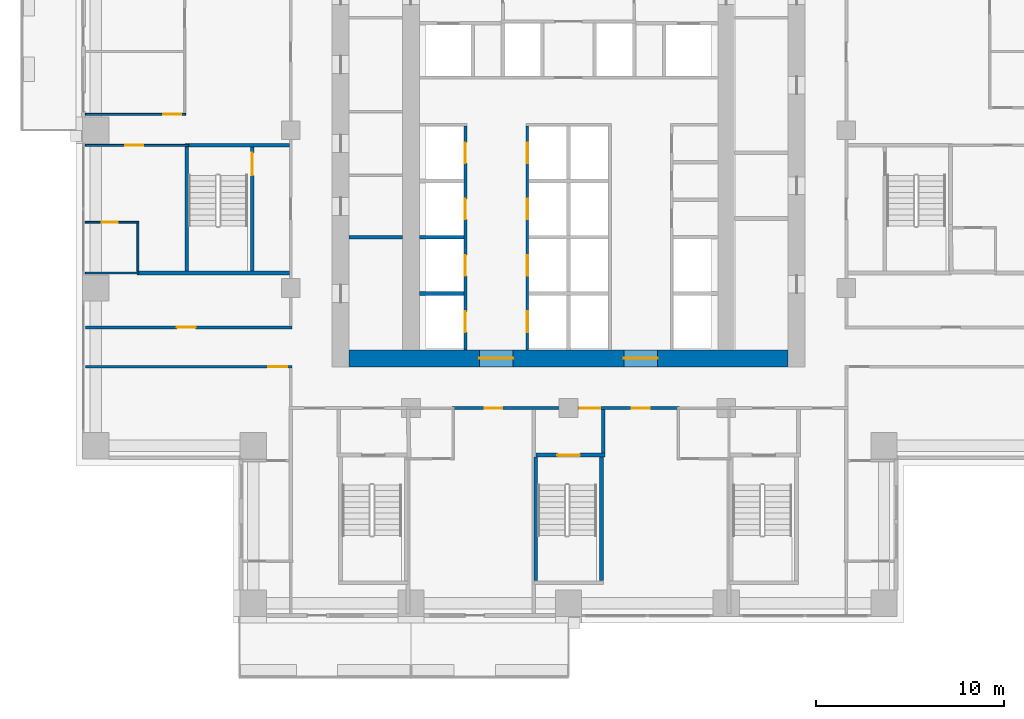
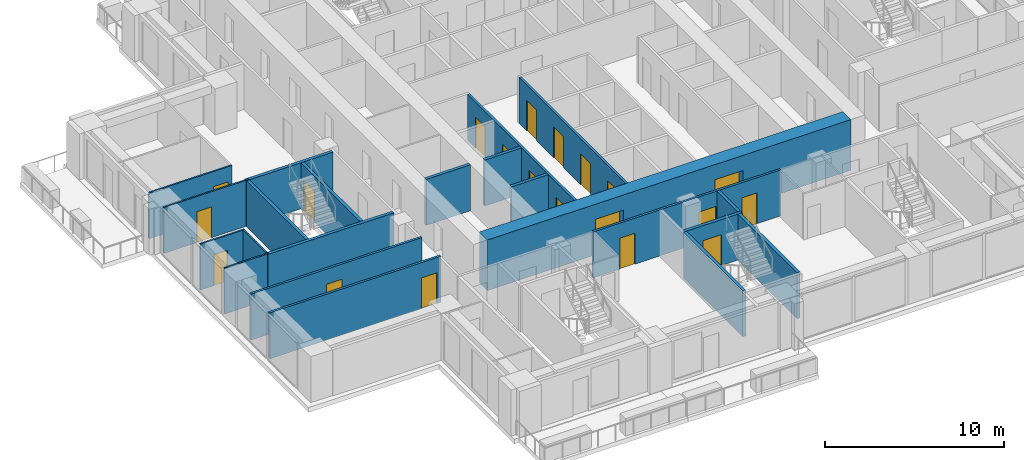
# One storey, part 7 of 16: 22 walls, 20 doors, 20 openings.
"""IFC4 building model written with IfcOpenShell, lengths in metres."""

from ifc_helpers import new_model, si_unit, direction, frame, frame_2d, origin, place, context, subcontext, project, spatial, rectangle, extrude, material, layer, layer_set, type_object, element, fill, save


model = new_model("IFC4")

# Units and contexts
model_context = context("Model", 3, precision=1e-05, world=origin(), true_north=direction((0.0, 1.0)))
body_context = subcontext(model_context, "Body", "Model", "MODEL_VIEW")
ifc_project = project(units=[si_unit("LENGTHUNIT", "METRE"), si_unit("AREAUNIT", "SQUARE_METRE"), si_unit("VOLUMEUNIT", "CUBIC_METRE"), si_unit("PLANEANGLEUNIT", "RADIAN"), si_unit("MASSUNIT", "GRAM", prefix="KILO")], contexts=[model_context])

# Site, building, storey
site_placement = place(None, origin())
site = spatial("IfcSite", under=ifc_project, at=site_placement, CompositionType="ELEMENT")
building_placement = place(site_placement, origin())
building = spatial("IfcBuilding", under=site, at=building_placement, Name="Vermilion Ogive Tower", CompositionType="ELEMENT")
storey_placement = place(building_placement, frame((0.0, 0.0, 41.39990234375)))
storey = spatial("IfcBuildingStorey", under=building, at=storey_placement, Name="L08", CompositionType="ELEMENT", Elevation=41.39990234375)

# Wall, openings, doors
ifc_material_1 = material(Name="Concrete B80", Category="concrete")
ifc_layer_1 = layer(ifc_material_1, 0.89990234375)
ifc_layer_set_1 = layer_set([ifc_layer_1], Name="Core wall 900 B80")
wall_type_1 = type_object("IfcWallType", Name="Core wall 900 B80", PredefinedType="SHEAR", material=ifc_layer_set_1)
wall_1_placement = place(storey_placement, frame((-11.699951171875, -7.949951171875, -0.31982421875), z_axis=(0.0, 0.0, 1.0), x_axis=(1.0, 0.0, 0.0)))
wall_1 = element("IfcWall", 1, at=wall_1_placement, inside=storey, type_object=wall_type_1, Name="L08-CORE-S", PredefinedType="SHEAR", context=body_context, shape_type="SweptSolid", body=[
    extrude(rectangle(XDim=23.39990234375, YDim=0.89990234375, at=frame_2d((11.699951171875, 0.0))), origin(), (0.0, 0.0, 1.0), 3.449951171875),
])
opening_1_placement = place(wall_1_placement, frame((6.949951171875, 0.0, 0.320068359375)))
opening_1 = element("IfcOpeningElement", 2, at=opening_1_placement, cuts=wall_1, Name="Opening DAH003", PredefinedType="OPENING", context=body_context, shape_type="SweptSolid", body=[
    extrude(rectangle(XDim=1.800048828125, YDim=2.10009765625, at=frame_2d((0.89990234375, 1.050048828125))), frame((0.0, 0.4599609375, 0.0), z_axis=(0.0, -1.0, 0.0), x_axis=(1.0, 0.0, 0.0)), (0.0, 0.0, 1.0), 0.919921875),
])
opening_2_placement = place(wall_1_placement, frame((14.64990234375, 0.0, 0.320068359375)))
opening_2 = element("IfcOpeningElement", 3, at=opening_2_placement, cuts=wall_1, Name="Opening DAH004", PredefinedType="OPENING", context=body_context, shape_type="SweptSolid", body=[
    extrude(rectangle(XDim=1.800048828125, YDim=2.10009765625, at=frame_2d((0.89990234375, 1.050048828125))), frame((0.0, 0.4599609375, 0.0), z_axis=(0.0, -1.0, 0.0), x_axis=(1.0, 0.0, 0.0)), (0.0, 0.0, 1.0), 0.919921875),
])
ifc_material_2 = material(Name="Timber door leaf", Category="wood")
door_type_1 = type_object("IfcDoorType", Name="Core entry door 1800 x 2100 FD60S", OperationType="DOUBLE_DOOR_SINGLE_SWING", PredefinedType="DOOR", material=ifc_material_2)
door_1_placement = place(opening_1_placement, origin())
door_1 = element("IfcDoor", 4, at=door_1_placement, inside=storey, type_object=door_type_1, Name="L08-CK-XD1", OperationType="SINGLE_SWING_LEFT", OverallHeight=2.10009765625, OverallWidth=1.800048828125, PredefinedType="DOOR", context=body_context, shape_type="SweptSolid", body=[
    extrude(rectangle(XDim=1.800048828125, YDim=2.10009765625, at=frame_2d((0.89990234375, 1.050048828125))), frame((0.0, 0.02490234375, 0.0), z_axis=(0.0, -1.0, 0.0), x_axis=(1.0, 0.0, 0.0)), (0.0, 0.0, 1.0), 0.050048828125),
])
fill(opening_1, door_1)
door_2_placement = place(opening_2_placement, origin())
door_2 = element("IfcDoor", 5, at=door_2_placement, inside=storey, type_object=door_type_1, Name="L08-CK-XD2", OperationType="SINGLE_SWING_LEFT", OverallHeight=2.10009765625, OverallWidth=1.800048828125, PredefinedType="DOOR", context=body_context, shape_type="SweptSolid", body=[
    extrude(rectangle(XDim=1.800048828125, YDim=2.10009765625, at=frame_2d((0.89990234375, 1.050048828125))), frame((0.0, 0.02490234375, 0.0), z_axis=(0.0, -1.0, 0.0), x_axis=(1.0, 0.0, 0.0)), (0.0, 0.0, 1.0), 0.050048828125),
])
fill(opening_2, door_2)

# Wall
ifc_material_3 = material(Name="Gypsum board partition on steel studs", Category="steel")
ifc_layer_2 = layer(ifc_material_3, 0.10009765625)
ifc_layer_set_2 = layer_set([ifc_layer_2], Name="Partition 100 bath")
wall_type_2 = type_object("IfcWallType", Name="Partition 100 bath", PredefinedType="PARTITIONING", material=ifc_layer_set_2)
wall_2_placement = place(storey_placement, frame((-25.75, -3.39990234375, 0.0), z_axis=(0.0, 0.0, 1.0), x_axis=(1.0, 0.0, 0.0)))
element("IfcWall", 6, at=wall_2_placement, inside=storey, type_object=wall_type_2, Name="L08-W-W022", PredefinedType="PARTITIONING", context=body_context, shape_type="SweptSolid", body=[
    extrude(rectangle(XDim=2.85009765625, YDim=0.10009765625, at=frame_2d((1.425048828125, 0.0))), origin(), (0.0, 0.0, 1.0), 3.130126953125),
])

# Wall, opening, door
wall_3_placement = place(storey_placement, frame((-25.75, -0.699951171875, 0.0), z_axis=(0.0, 0.0, 1.0), x_axis=(1.0, 0.0, 0.0)))
wall_3 = element("IfcWall", 7, at=wall_3_placement, inside=storey, type_object=wall_type_2, Name="L08-W-W028", PredefinedType="PARTITIONING", context=body_context, shape_type="SweptSolid", body=[
    extrude(rectangle(XDim=2.85009765625, YDim=0.10009765625, at=frame_2d((1.425048828125, 0.0))), origin(), (0.0, 0.0, 1.0), 3.130126953125),
])
opening_3_placement = place(wall_3_placement, frame((0.875, 0.0, 0.0)))
opening_3 = element("IfcOpeningElement", 8, at=opening_3_placement, cuts=wall_3, Name="Opening D1G2008", PredefinedType="OPENING", context=body_context, shape_type="SweptSolid", body=[
    extrude(rectangle(XDim=0.85009765625, YDim=2.10009765625, at=frame_2d((0.425048828125, 1.050048828125))), frame((0.0, 0.06005859375, 0.0), z_axis=(0.0, -1.0, 0.0), x_axis=(1.0, 0.0, 0.0)), (0.0, 0.0, 1.0), 0.1201171875),
])
ifc_material_4 = material(Name="Timber door leaf", Category="wood")
door_type_2 = type_object("IfcDoorType", Name="Bath door 850 x 2100 FD30", OperationType="SINGLE_SWING_LEFT", PredefinedType="DOOR", material=ifc_material_4)
door_3_placement = place(opening_3_placement, origin())
door_3 = element("IfcDoor", 9, at=door_3_placement, inside=storey, type_object=door_type_2, Name="L08-D-D008", OperationType="SINGLE_SWING_RIGHT", OverallHeight=2.10009765625, OverallWidth=0.85009765625, PredefinedType="DOOR", context=body_context, shape_type="SweptSolid", body=[
    extrude(rectangle(XDim=0.85009765625, YDim=2.10009765625, at=frame_2d((0.425048828125, 1.050048828125))), frame((0.0, 0.02490234375, 0.0), z_axis=(0.0, -1.0, 0.0), x_axis=(1.0, 0.0, 0.0)), (0.0, 0.0, 1.0), 0.050048828125),
])
fill(opening_3, door_3)

# Wall
wall_4_placement = place(storey_placement, frame((-22.949951171875, -3.300048828125, 0.0), z_axis=(0.0, 0.0, 1.0), x_axis=(0.0, 1.0, 0.0)))
element("IfcWall", 10, at=wall_4_placement, inside=storey, type_object=wall_type_2, Name="L08-W-W041", PredefinedType="PARTITIONING", context=body_context, shape_type="SweptSolid", body=[
    extrude(rectangle(XDim=2.550048828125, YDim=0.10009765625, at=frame_2d((1.27490234375, 0.0))), origin(), (0.0, 0.0, 1.0), 3.130126953125),
])

# Wall, opening, door
ifc_material_5 = material(Name="Gypsum board partition on steel studs", Category="steel")
ifc_layer_3 = layer(ifc_material_5, 0.10009765625)
ifc_layer_set_3 = layer_set([ifc_layer_3], Name="Partition 100 inner")
wall_type_3 = type_object("IfcWallType", Name="Partition 100 inner", PredefinedType="PARTITIONING", material=ifc_layer_set_3)
wall_5_placement = place(storey_placement, frame((-25.75, 3.39990234375, 0.0), z_axis=(0.0, 0.0, 1.0), x_axis=(1.0, 0.0, 0.0)))
wall_5 = element("IfcWall", 11, at=wall_5_placement, inside=storey, type_object=wall_type_3, Name="L08-W-W029", PredefinedType="PARTITIONING", context=body_context, shape_type="SweptSolid", body=[
    extrude(rectangle(XDim=5.5, YDim=0.10009765625, at=frame_2d((2.75, 0.0))), origin(), (0.0, 0.0, 1.0), 3.130126953125),
])
opening_4_placement = place(wall_5_placement, frame((2.125, 0.0, 0.0)))
opening_4 = element("IfcOpeningElement", 12, at=opening_4_placement, cuts=wall_5, Name="Opening D1G2007", PredefinedType="OPENING", context=body_context, shape_type="SweptSolid", body=[
    extrude(rectangle(XDim=0.949951171875, YDim=2.10009765625, at=frame_2d((0.47509765625, 1.050048828125))), frame((0.0, 0.06005859375, 0.0), z_axis=(0.0, -1.0, 0.0), x_axis=(1.0, 0.0, 0.0)), (0.0, 0.0, 1.0), 0.1201171875),
])
ifc_material_6 = material(Name="Timber door leaf", Category="wood")
door_type_3 = type_object("IfcDoorType", Name="Inner door 950 x 2100 FD30", OperationType="SINGLE_SWING_LEFT", PredefinedType="DOOR", material=ifc_material_6)
door_4_placement = place(opening_4_placement, origin())
door_4 = element("IfcDoor", 13, at=door_4_placement, inside=storey, type_object=door_type_3, Name="L08-D-D007", OperationType="SINGLE_SWING_LEFT", OverallHeight=2.10009765625, OverallWidth=0.949951171875, PredefinedType="DOOR", context=body_context, shape_type="SweptSolid", body=[
    extrude(rectangle(XDim=0.949951171875, YDim=2.10009765625, at=frame_2d((0.47509765625, 1.050048828125))), frame((0.0, 0.02490234375, 0.0), z_axis=(0.0, -1.0, 0.0), x_axis=(1.0, 0.0, 0.0)), (0.0, 0.0, 1.0), 0.050048828125),
])
fill(opening_4, door_4)

wall_6_placement = place(storey_placement, frame((-25.75, 5.0498046875, 0.0), z_axis=(0.0, 0.0, 1.0), x_axis=(1.0, 0.0, 0.0)))
wall_6 = element("IfcWall", 14, at=wall_6_placement, inside=storey, type_object=wall_type_3, Name="L08-W-W033", PredefinedType="PARTITIONING", context=body_context, shape_type="SweptSolid", body=[
    extrude(rectangle(XDim=5.35009765625, YDim=0.10009765625, at=frame_2d((2.675048828125, 0.0))), origin(), (0.0, 0.0, 1.0), 3.130126953125),
])
opening_5_placement = place(wall_6_placement, frame((4.14990234375, 0.0, 0.0)))
opening_5 = element("IfcOpeningElement", 15, at=opening_5_placement, cuts=wall_6, Name="Opening D1G2004", PredefinedType="OPENING", context=body_context, shape_type="SweptSolid", body=[
    extrude(rectangle(XDim=0.949951171875, YDim=2.10009765625, at=frame_2d((0.47509765625, 1.050048828125))), frame((0.0, 0.06005859375, 0.0), z_axis=(0.0, -1.0, 0.0), x_axis=(1.0, 0.0, 0.0)), (0.0, 0.0, 1.0), 0.1201171875),
])
door_5_placement = place(opening_5_placement, origin())
door_5 = element("IfcDoor", 16, at=door_5_placement, inside=storey, type_object=door_type_3, Name="L08-D-D004", OperationType="SINGLE_SWING_LEFT", OverallHeight=2.10009765625, OverallWidth=0.949951171875, PredefinedType="DOOR", context=body_context, shape_type="SweptSolid", body=[
    extrude(rectangle(XDim=0.949951171875, YDim=2.10009765625, at=frame_2d((0.47509765625, 1.050048828125))), frame((0.0, 0.02490234375, 0.0), z_axis=(0.0, -1.0, 0.0), x_axis=(1.0, 0.0, 0.0)), (0.0, 0.0, 1.0), 0.050048828125),
])
fill(opening_5, door_5)

# Wall, openings, doors
ifc_material_7 = material(Name="Gypsum board partition on steel studs", Category="steel")
ifc_layer_4 = layer(ifc_material_7, 0.14990234375)
ifc_layer_set_4 = layer_set([ifc_layer_4], Name="Partition 150 corridor")
wall_type_4 = type_object("IfcWallType", Name="Partition 150 corridor", PredefinedType="PARTITIONING", material=ifc_layer_set_4)
wall_7_placement = place(storey_placement, frame((-6.199951171875, -10.60009765625, 0.0), z_axis=(0.0, 0.0, 1.0), x_axis=(1.0, 0.0, 0.0)))
wall_7 = element("IfcWall", 17, at=wall_7_placement, inside=storey, type_object=wall_type_4, Name="L08-W-W015", PredefinedType="PARTITIONING", context=body_context, shape_type="SweptSolid", body=[
    extrude(rectangle(XDim=12.099853515625, YDim=0.14990234375, at=frame_2d((6.0498046875, 0.0))), origin(), (0.0, 0.0, 1.0), 3.130126953125),
])
opening_6_placement = place(wall_7_placement, frame((1.724853515625, 0.0, 0.0)))
opening_6 = element("IfcOpeningElement", 18, at=opening_6_placement, cuts=wall_7, Name="Opening D1G2011", PredefinedType="OPENING", context=body_context, shape_type="SweptSolid", body=[
    extrude(rectangle(XDim=0.949951171875, YDim=2.10009765625, at=frame_2d((0.47509765625, 1.050048828125))), frame((0.0, 0.0849609375, 0.0), z_axis=(0.0, -1.0, 0.0), x_axis=(1.0, 0.0, 0.0)), (0.0, 0.0, 1.0), 0.169921875),
])
opening_7_placement = place(wall_7_placement, frame((9.574951171875, 0.0, 0.0)))
opening_7 = element("IfcOpeningElement", 19, at=opening_7_placement, cuts=wall_7, Name="Opening D1G2013", PredefinedType="OPENING", context=body_context, shape_type="SweptSolid", body=[
    extrude(rectangle(XDim=0.949951171875, YDim=2.10009765625, at=frame_2d((0.47509765625, 1.050048828125))), frame((0.0, 0.0849609375, 0.0), z_axis=(0.0, -1.0, 0.0), x_axis=(1.0, 0.0, 0.0)), (0.0, 0.0, 1.0), 0.169921875),
])
opening_8_placement = place(wall_7_placement, frame((6.800048828125, 0.0, 0.0)))
opening_8 = element("IfcOpeningElement", 20, at=opening_8_placement, cuts=wall_7, Name="Opening D1G2027", PredefinedType="OPENING", context=body_context, shape_type="SweptSolid", body=[
    extrude(rectangle(XDim=1.10009765625, YDim=2.10009765625, at=frame_2d((0.550048828125, 1.050048828125))), frame((0.0, 0.0849609375, 0.0), z_axis=(0.0, -1.0, 0.0), x_axis=(1.0, 0.0, 0.0)), (0.0, 0.0, 1.0), 0.169921875),
])
ifc_material_8 = material(Name="Timber door leaf", Category="wood")
door_type_4 = type_object("IfcDoorType", Name="Stair door 1100 x 2100 FD60S", OperationType="SINGLE_SWING_LEFT", PredefinedType="DOOR", material=ifc_material_8)
door_6_placement = place(opening_8_placement, origin())
door_6 = element("IfcDoor", 21, at=door_6_placement, inside=storey, type_object=door_type_4, Name="L08-D-D027", OperationType="SINGLE_SWING_RIGHT", OverallHeight=2.10009765625, OverallWidth=1.10009765625, PredefinedType="DOOR", context=body_context, shape_type="SweptSolid", body=[
    extrude(rectangle(XDim=1.10009765625, YDim=2.10009765625, at=frame_2d((0.550048828125, 1.050048828125))), frame((0.0, 0.02490234375, 0.0), z_axis=(0.0, -1.0, 0.0), x_axis=(1.0, 0.0, 0.0)), (0.0, 0.0, 1.0), 0.050048828125),
])
fill(opening_8, door_6)
ifc_material_9 = material(Name="Timber door leaf", Category="wood")
door_type_5 = type_object("IfcDoorType", Name="Unit door 950 x 2100 FD30S", OperationType="SINGLE_SWING_LEFT", PredefinedType="DOOR", material=ifc_material_9)
door_7_placement = place(opening_6_placement, origin())
door_7 = element("IfcDoor", 22, at=door_7_placement, inside=storey, type_object=door_type_5, Name="L08-D-D011", OperationType="SINGLE_SWING_LEFT", OverallHeight=2.10009765625, OverallWidth=0.949951171875, PredefinedType="DOOR", context=body_context, shape_type="SweptSolid", body=[
    extrude(rectangle(XDim=0.949951171875, YDim=2.10009765625, at=frame_2d((0.47509765625, 1.050048828125))), frame((0.0, 0.02490234375, 0.0), z_axis=(0.0, -1.0, 0.0), x_axis=(1.0, 0.0, 0.0)), (0.0, 0.0, 1.0), 0.050048828125),
])
fill(opening_6, door_7)
door_8_placement = place(opening_7_placement, origin())
door_8 = element("IfcDoor", 23, at=door_8_placement, inside=storey, type_object=door_type_5, Name="L08-D-D013", OperationType="SINGLE_SWING_RIGHT", OverallHeight=2.10009765625, OverallWidth=0.949951171875, PredefinedType="DOOR", context=body_context, shape_type="SweptSolid", body=[
    extrude(rectangle(XDim=0.949951171875, YDim=2.10009765625, at=frame_2d((0.47509765625, 1.050048828125))), frame((0.0, 0.02490234375, 0.0), z_axis=(0.0, -1.0, 0.0), x_axis=(1.0, 0.0, 0.0)), (0.0, 0.0, 1.0), 0.050048828125),
])
fill(opening_7, door_8)

# Wall, opening, door
wall_8_placement = place(storey_placement, frame((-25.75, -8.39990234375, 0.0), z_axis=(0.0, 0.0, 1.0), x_axis=(1.0, 0.0, 0.0)))
wall_8 = element("IfcWall", 24, at=wall_8_placement, inside=storey, type_object=wall_type_4, Name="L08-W-W018", PredefinedType="PARTITIONING", context=body_context, shape_type="SweptSolid", body=[
    extrude(rectangle(XDim=11.02490234375, YDim=0.14990234375, at=frame_2d((5.512451171875, 0.0))), origin(), (0.0, 0.0, 1.0), 3.130126953125),
])
opening_9_placement = place(wall_8_placement, frame((9.75, 0.0, 0.0)))
opening_9 = element("IfcOpeningElement", 25, at=opening_9_placement, cuts=wall_8, Name="Opening D1G2001", PredefinedType="OPENING", context=body_context, shape_type="SweptSolid", body=[
    extrude(rectangle(XDim=1.0, YDim=2.10009765625, at=frame_2d((0.5, 1.050048828125))), frame((0.0, 0.0849609375, 0.0), z_axis=(0.0, -1.0, 0.0), x_axis=(1.0, 0.0, 0.0)), (0.0, 0.0, 1.0), 0.169921875),
])
ifc_material_10 = material(Name="Timber door leaf", Category="wood")
door_type_6 = type_object("IfcDoorType", Name="Unit door 1000 x 2100 FD30S", OperationType="SINGLE_SWING_LEFT", PredefinedType="DOOR", material=ifc_material_10)
door_9_placement = place(opening_9_placement, origin())
door_9 = element("IfcDoor", 26, at=door_9_placement, inside=storey, type_object=door_type_6, Name="L08-D-D001", OperationType="SINGLE_SWING_RIGHT", OverallHeight=2.10009765625, OverallWidth=1.0, PredefinedType="DOOR", context=body_context, shape_type="SweptSolid", body=[
    extrude(rectangle(XDim=1.0, YDim=2.10009765625, at=frame_2d((0.5, 1.050048828125))), frame((0.0, 0.02490234375, 0.0), z_axis=(0.0, -1.0, 0.0), x_axis=(1.0, 0.0, 0.0)), (0.0, 0.0, 1.0), 0.050048828125),
])
fill(opening_9, door_9)

wall_9_placement = place(storey_placement, frame((-25.75, -6.300048828125, 0.0), z_axis=(0.0, 0.0, 1.0), x_axis=(1.0, 0.0, 0.0)))
wall_9 = element("IfcWall", 27, at=wall_9_placement, inside=storey, type_object=wall_type_4, Name="L08-W-W020", PredefinedType="PARTITIONING", context=body_context, shape_type="SweptSolid", body=[
    extrude(rectangle(XDim=11.02490234375, YDim=0.14990234375, at=frame_2d((5.512451171875, 0.0))), origin(), (0.0, 0.0, 1.0), 3.130126953125),
])
opening_10_placement = place(wall_9_placement, frame((4.875, 0.0, 0.0)))
opening_10 = element("IfcOpeningElement", 28, at=opening_10_placement, cuts=wall_9, Name="Opening D1G2037", PredefinedType="OPENING", context=body_context, shape_type="SweptSolid", body=[
    extrude(rectangle(XDim=1.0, YDim=2.10009765625, at=frame_2d((0.5, 1.050048828125))), frame((0.0, 0.0849609375, 0.0), z_axis=(0.0, -1.0, 0.0), x_axis=(1.0, 0.0, 0.0)), (0.0, 0.0, 1.0), 0.169921875),
])
door_10_placement = place(opening_10_placement, origin())
door_10 = element("IfcDoor", 29, at=door_10_placement, inside=storey, type_object=door_type_6, Name="L08-D-D037", OperationType="SINGLE_SWING_RIGHT", OverallHeight=2.10009765625, OverallWidth=1.0, PredefinedType="DOOR", context=body_context, shape_type="SweptSolid", body=[
    extrude(rectangle(XDim=1.0, YDim=2.10009765625, at=frame_2d((0.5, 1.050048828125))), frame((0.0, 0.02490234375, 0.0), z_axis=(0.0, -1.0, 0.0), x_axis=(1.0, 0.0, 0.0)), (0.0, 0.0, 1.0), 0.050048828125),
])
fill(opening_10, door_10)

# Wall, openings, doors
wall_10_placement = place(storey_placement, frame((-5.5, -7.4990234375, 0.0), z_axis=(0.0, 0.0, 1.0), x_axis=(0.0, 1.0, 0.0)))
wall_10 = element("IfcWall", 30, at=wall_10_placement, inside=storey, type_object=wall_type_4, Name="L08-CK-W-W023", PredefinedType="PARTITIONING", context=body_context, shape_type="SweptSolid", body=[
    extrude(rectangle(XDim=11.924072265625, YDim=0.14990234375, at=frame_2d((5.9619140625, 0.0))), origin(), (0.0, 0.0, 1.0), 3.130126953125),
])
opening_11_placement = place(wall_10_placement, frame((0.948974609375, 0.0, 0.0)))
opening_11 = element("IfcOpeningElement", 31, at=opening_11_placement, cuts=wall_10, Name="Opening DAA034", PredefinedType="OPENING", context=body_context, shape_type="SweptSolid", body=[
    extrude(rectangle(XDim=1.10009765625, YDim=2.10009765625, at=frame_2d((0.550048828125, 1.050048828125))), frame((0.0, 0.0849609375, 0.0), z_axis=(0.0, -1.0, 0.0), x_axis=(1.0, 0.0, 0.0)), (0.0, 0.0, 1.0), 0.169921875),
])
opening_12_placement = place(wall_10_placement, frame((3.948974609375, 0.0, 0.0)))
opening_12 = element("IfcOpeningElement", 32, at=opening_12_placement, cuts=wall_10, Name="Opening DAA037", PredefinedType="OPENING", context=body_context, shape_type="SweptSolid", body=[
    extrude(rectangle(XDim=1.10009765625, YDim=2.10009765625, at=frame_2d((0.550048828125, 1.050048828125))), frame((0.0, 0.0849609375, 0.0), z_axis=(0.0, -1.0, 0.0), x_axis=(1.0, 0.0, 0.0)), (0.0, 0.0, 1.0), 0.169921875),
])
opening_13_placement = place(wall_10_placement, frame((6.948974609375, 0.0, 0.0)))
opening_13 = element("IfcOpeningElement", 33, at=opening_13_placement, cuts=wall_10, Name="Opening DAA038", PredefinedType="OPENING", context=body_context, shape_type="SweptSolid", body=[
    extrude(rectangle(XDim=1.10009765625, YDim=2.10009765625, at=frame_2d((0.550048828125, 1.050048828125))), frame((0.0, 0.0849609375, 0.0), z_axis=(0.0, -1.0, 0.0), x_axis=(1.0, 0.0, 0.0)), (0.0, 0.0, 1.0), 0.169921875),
])
opening_14_placement = place(wall_10_placement, frame((9.948974609375, 0.0, 0.0)))
opening_14 = element("IfcOpeningElement", 34, at=opening_14_placement, cuts=wall_10, Name="Opening DAA039", PredefinedType="OPENING", context=body_context, shape_type="SweptSolid", body=[
    extrude(rectangle(XDim=1.10009765625, YDim=2.10009765625, at=frame_2d((0.550048828125, 1.050048828125))), frame((0.0, 0.0849609375, 0.0), z_axis=(0.0, -1.0, 0.0), x_axis=(1.0, 0.0, 0.0)), (0.0, 0.0, 1.0), 0.169921875),
])
ifc_material_11 = material(Name="Stainless steel", Category="steel")
door_type_7 = type_object("IfcDoorType", Name="Lift landing door 1100 x 2100", OperationType="SLIDING_TO_LEFT", PredefinedType="DOOR", material=ifc_material_11)
door_11_placement = place(opening_11_placement, origin())
door_11 = element("IfcDoor", 35, at=door_11_placement, inside=storey, type_object=door_type_7, Name="L08-CK-D-D001", OperationType="SLIDING_TO_RIGHT", OverallHeight=2.10009765625, OverallWidth=1.10009765625, PredefinedType="DOOR", context=body_context, shape_type="SweptSolid", body=[
    extrude(rectangle(XDim=1.10009765625, YDim=2.10009765625, at=frame_2d((0.550048828125, 1.050048828125))), frame((0.0, 0.02490234375, 0.0), z_axis=(0.0, -1.0, 0.0), x_axis=(1.0, 0.0, 0.0)), (0.0, 0.0, 1.0), 0.050048828125),
])
fill(opening_11, door_11)
door_12_placement = place(opening_12_placement, origin())
door_12 = element("IfcDoor", 36, at=door_12_placement, inside=storey, type_object=door_type_7, Name="L08-CK-D-D002", OperationType="SLIDING_TO_RIGHT", OverallHeight=2.10009765625, OverallWidth=1.10009765625, PredefinedType="DOOR", context=body_context, shape_type="SweptSolid", body=[
    extrude(rectangle(XDim=1.10009765625, YDim=2.10009765625, at=frame_2d((0.550048828125, 1.050048828125))), frame((0.0, 0.02490234375, 0.0), z_axis=(0.0, -1.0, 0.0), x_axis=(1.0, 0.0, 0.0)), (0.0, 0.0, 1.0), 0.050048828125),
])
fill(opening_12, door_12)
door_13_placement = place(opening_13_placement, origin())
door_13 = element("IfcDoor", 37, at=door_13_placement, inside=storey, type_object=door_type_7, Name="L08-CK-D-D003", OperationType="SLIDING_TO_RIGHT", OverallHeight=2.10009765625, OverallWidth=1.10009765625, PredefinedType="DOOR", context=body_context, shape_type="SweptSolid", body=[
    extrude(rectangle(XDim=1.10009765625, YDim=2.10009765625, at=frame_2d((0.550048828125, 1.050048828125))), frame((0.0, 0.02490234375, 0.0), z_axis=(0.0, -1.0, 0.0), x_axis=(1.0, 0.0, 0.0)), (0.0, 0.0, 1.0), 0.050048828125),
])
fill(opening_13, door_13)
door_14_placement = place(opening_14_placement, origin())
door_14 = element("IfcDoor", 38, at=door_14_placement, inside=storey, type_object=door_type_7, Name="L08-CK-D-D004", OperationType="SLIDING_TO_RIGHT", OverallHeight=2.10009765625, OverallWidth=1.10009765625, PredefinedType="DOOR", context=body_context, shape_type="SweptSolid", body=[
    extrude(rectangle(XDim=1.10009765625, YDim=2.10009765625, at=frame_2d((0.550048828125, 1.050048828125))), frame((0.0, 0.02490234375, 0.0), z_axis=(0.0, -1.0, 0.0), x_axis=(1.0, 0.0, 0.0)), (0.0, 0.0, 1.0), 0.050048828125),
])
fill(opening_14, door_14)

wall_11_placement = place(storey_placement, frame((-2.199951171875, -7.4990234375, 0.0), z_axis=(0.0, 0.0, 1.0), x_axis=(0.0, 1.0, 0.0)))
wall_11 = element("IfcWall", 39, at=wall_11_placement, inside=storey, type_object=wall_type_4, Name="L08-CK-W-W028", PredefinedType="PARTITIONING", context=body_context, shape_type="SweptSolid", body=[
    extrude(rectangle(XDim=11.924072265625, YDim=0.14990234375, at=frame_2d((5.9619140625, 0.0))), origin(), (0.0, 0.0, 1.0), 3.130126953125),
])
opening_15_placement = place(wall_11_placement, frame((0.948974609375, 0.0, 0.0)))
opening_15 = element("IfcOpeningElement", 40, at=opening_15_placement, cuts=wall_11, Name="Opening DAA040", PredefinedType="OPENING", context=body_context, shape_type="SweptSolid", body=[
    extrude(rectangle(XDim=1.10009765625, YDim=2.10009765625, at=frame_2d((0.550048828125, 1.050048828125))), frame((0.0, 0.0849609375, 0.0), z_axis=(0.0, -1.0, 0.0), x_axis=(1.0, 0.0, 0.0)), (0.0, 0.0, 1.0), 0.169921875),
])
opening_16_placement = place(wall_11_placement, frame((3.948974609375, 0.0, 0.0)))
opening_16 = element("IfcOpeningElement", 41, at=opening_16_placement, cuts=wall_11, Name="Opening DAA041", PredefinedType="OPENING", context=body_context, shape_type="SweptSolid", body=[
    extrude(rectangle(XDim=1.10009765625, YDim=2.10009765625, at=frame_2d((0.550048828125, 1.050048828125))), frame((0.0, 0.0849609375, 0.0), z_axis=(0.0, -1.0, 0.0), x_axis=(1.0, 0.0, 0.0)), (0.0, 0.0, 1.0), 0.169921875),
])
opening_17_placement = place(wall_11_placement, frame((6.948974609375, 0.0, 0.0)))
opening_17 = element("IfcOpeningElement", 42, at=opening_17_placement, cuts=wall_11, Name="Opening DAA042", PredefinedType="OPENING", context=body_context, shape_type="SweptSolid", body=[
    extrude(rectangle(XDim=1.10009765625, YDim=2.10009765625, at=frame_2d((0.550048828125, 1.050048828125))), frame((0.0, 0.0849609375, 0.0), z_axis=(0.0, -1.0, 0.0), x_axis=(1.0, 0.0, 0.0)), (0.0, 0.0, 1.0), 0.169921875),
])
opening_18_placement = place(wall_11_placement, frame((9.948974609375, 0.0, 0.0)))
opening_18 = element("IfcOpeningElement", 43, at=opening_18_placement, cuts=wall_11, Name="Opening DAA043", PredefinedType="OPENING", context=body_context, shape_type="SweptSolid", body=[
    extrude(rectangle(XDim=1.10009765625, YDim=2.10009765625, at=frame_2d((0.550048828125, 1.050048828125))), frame((0.0, 0.0849609375, 0.0), z_axis=(0.0, -1.0, 0.0), x_axis=(1.0, 0.0, 0.0)), (0.0, 0.0, 1.0), 0.169921875),
])
door_15_placement = place(opening_15_placement, origin())
door_15 = element("IfcDoor", 44, at=door_15_placement, inside=storey, type_object=door_type_7, Name="L08-CK-D-D005", OperationType="SLIDING_TO_RIGHT", OverallHeight=2.10009765625, OverallWidth=1.10009765625, PredefinedType="DOOR", context=body_context, shape_type="SweptSolid", body=[
    extrude(rectangle(XDim=1.10009765625, YDim=2.10009765625, at=frame_2d((0.550048828125, 1.050048828125))), frame((0.0, 0.02490234375, 0.0), z_axis=(0.0, -1.0, 0.0), x_axis=(1.0, 0.0, 0.0)), (0.0, 0.0, 1.0), 0.050048828125),
])
fill(opening_15, door_15)
door_16_placement = place(opening_16_placement, origin())
door_16 = element("IfcDoor", 45, at=door_16_placement, inside=storey, type_object=door_type_7, Name="L08-CK-D-D006", OperationType="SLIDING_TO_RIGHT", OverallHeight=2.10009765625, OverallWidth=1.10009765625, PredefinedType="DOOR", context=body_context, shape_type="SweptSolid", body=[
    extrude(rectangle(XDim=1.10009765625, YDim=2.10009765625, at=frame_2d((0.550048828125, 1.050048828125))), frame((0.0, 0.02490234375, 0.0), z_axis=(0.0, -1.0, 0.0), x_axis=(1.0, 0.0, 0.0)), (0.0, 0.0, 1.0), 0.050048828125),
])
fill(opening_16, door_16)
door_17_placement = place(opening_17_placement, origin())
door_17 = element("IfcDoor", 46, at=door_17_placement, inside=storey, type_object=door_type_7, Name="L08-CK-D-D007", OperationType="SLIDING_TO_RIGHT", OverallHeight=2.10009765625, OverallWidth=1.10009765625, PredefinedType="DOOR", context=body_context, shape_type="SweptSolid", body=[
    extrude(rectangle(XDim=1.10009765625, YDim=2.10009765625, at=frame_2d((0.550048828125, 1.050048828125))), frame((0.0, 0.02490234375, 0.0), z_axis=(0.0, -1.0, 0.0), x_axis=(1.0, 0.0, 0.0)), (0.0, 0.0, 1.0), 0.050048828125),
])
fill(opening_17, door_17)
door_18_placement = place(opening_18_placement, origin())
door_18 = element("IfcDoor", 47, at=door_18_placement, inside=storey, type_object=door_type_7, Name="L08-CK-D-D008", OperationType="SLIDING_TO_RIGHT", OverallHeight=2.10009765625, OverallWidth=1.10009765625, PredefinedType="DOOR", context=body_context, shape_type="SweptSolid", body=[
    extrude(rectangle(XDim=1.10009765625, YDim=2.10009765625, at=frame_2d((0.550048828125, 1.050048828125))), frame((0.0, 0.02490234375, 0.0), z_axis=(0.0, -1.0, 0.0), x_axis=(1.0, 0.0, 0.0)), (0.0, 0.0, 1.0), 0.050048828125),
])
fill(opening_18, door_18)

# Walls
ifc_material_12 = material(Name="Gypsum board partition on steel studs", Category="steel")
ifc_layer_5 = layer(ifc_material_12, 0.199951171875)
ifc_layer_set_5 = layer_set([ifc_layer_5], Name="Partition 200 party")
wall_type_5 = type_object("IfcWallType", Name="Partition 200 party", PredefinedType="PARTITIONING", material=ifc_layer_set_5)
for number, where, z_axis, x_axis, name in (
    (48, (-7.948974609375, -4.5, 0.0), (0.0, 0.0, 1.0), (1.0, 0.0, 0.0), "L08-CK-W-W001"),
    (49, (-7.948974609375, -1.5, 0.0), (0.0, 0.0, 1.0), (1.0, 0.0, 0.0), "L08-CK-W-W004"),
):
    element("IfcWall", number, at=place(storey_placement, frame(where, z_axis=z_axis, x_axis=x_axis)), inside=storey, type_object=wall_type_5, Name=name, PredefinedType="PARTITIONING", context=body_context, shape_type="SweptSolid", body=[
        extrude(rectangle(XDim=2.3740234375, YDim=0.199951171875, at=frame_2d((1.18701171875, 0.0))), origin(), (0.0, 0.0, 1.0), 3.130126953125),
    ])
wall_12_placement = place(storey_placement, frame((-11.698974609375, -1.5, 0.0), z_axis=(0.0, 0.0, 1.0), x_axis=(1.0, 0.0, 0.0)))
element("IfcWall", 50, at=wall_12_placement, inside=storey, type_object=wall_type_5, Name="L08-CKW-W-W001", PredefinedType="PARTITIONING", context=body_context, shape_type="SweptSolid", body=[
    extrude(rectangle(XDim=2.847900390625, YDim=0.199951171875, at=frame_2d((1.423828125, 0.0))), origin(), (0.0, 0.0, 1.0), 3.130126953125),
])

# Wall, opening, door
ifc_material_13 = material(Name="Concrete B60", Category="concrete")
ifc_layer_6 = layer(ifc_material_13, 0.199951171875)
ifc_layer_set_6 = layer_set([ifc_layer_6], Name="Stair shaft wall 200 Concrete B60")
wall_type_6 = type_object("IfcWallType", Name="Stair shaft wall 200 Concrete B60", PredefinedType="SOLIDWALL", material=ifc_layer_set_6)
wall_13_placement = place(storey_placement, frame((-1.748046875, -13.10009765625, 0.0), z_axis=(0.0, 0.0, 1.0), x_axis=(1.0, 0.0, 0.0)))
wall_13 = element("IfcWall", 51, at=wall_13_placement, inside=storey, type_object=wall_type_6, Name="L08-W-W011", PredefinedType="SOLIDWALL", context=body_context, shape_type="SweptSolid", body=[
    extrude(rectangle(XDim=3.696044921875, YDim=0.199951171875, at=frame_2d((1.84814453125, 0.0))), origin(), (0.0, 0.0, 1.0), 3.130126953125),
])
opening_19_placement = place(wall_13_placement, frame((1.14794921875, 0.0, 0.0)))
opening_19 = element("IfcOpeningElement", 52, at=opening_19_placement, cuts=wall_13, Name="Opening D1G2028", PredefinedType="OPENING", context=body_context, shape_type="SweptSolid", body=[
    extrude(rectangle(XDim=1.199951171875, YDim=2.10009765625, at=frame_2d((0.60009765625, 1.050048828125))), frame((0.0, 0.10986328125, 0.0), z_axis=(0.0, -1.0, 0.0), x_axis=(1.0, 0.0, 0.0)), (0.0, 0.0, 1.0), 0.219970703125),
])
ifc_material_14 = material(Name="Timber door leaf", Category="wood")
door_type_8 = type_object("IfcDoorType", Name="Stair door 1200 x 2100 FD60S", OperationType="SINGLE_SWING_LEFT", PredefinedType="DOOR", material=ifc_material_14)
door_19_placement = place(opening_19_placement, origin())
door_19 = element("IfcDoor", 53, at=door_19_placement, inside=storey, type_object=door_type_8, Name="L08-D-D028", OperationType="SINGLE_SWING_RIGHT", OverallHeight=2.10009765625, OverallWidth=1.199951171875, PredefinedType="DOOR", context=body_context, shape_type="SweptSolid", body=[
    extrude(rectangle(XDim=1.199951171875, YDim=2.10009765625, at=frame_2d((0.60009765625, 1.050048828125))), frame((0.0, 0.02490234375, 0.0), z_axis=(0.0, -1.0, 0.0), x_axis=(1.0, 0.0, 0.0)), (0.0, 0.0, 1.0), 0.050048828125),
])
fill(opening_19, door_19)

# Wall
wall_14_placement = place(storey_placement, frame((-20.449951171875, 3.39990234375, 0.0), z_axis=(0.0, 0.0, 1.0), x_axis=(1.0, 0.0, 0.0)))
element("IfcWall", 54, at=wall_14_placement, inside=storey, type_object=wall_type_6, Name="L08-W-W030", PredefinedType="SOLIDWALL", context=body_context, shape_type="SweptSolid", body=[
    extrude(rectangle(XDim=5.574951171875, YDim=0.199951171875, at=frame_2d((2.78759765625, 0.0))), origin(), (0.0, 0.0, 1.0), 3.130126953125),
])

# Wall, opening, door
wall_15_placement = place(storey_placement, frame((-16.85009765625, -3.300048828125, 0.0), z_axis=(0.0, 0.0, 1.0), x_axis=(0.0, 1.0, 0.0)))
wall_15 = element("IfcWall", 55, at=wall_15_placement, inside=storey, type_object=wall_type_6, Name="L08-W-W044", PredefinedType="SOLIDWALL", context=body_context, shape_type="SweptSolid", body=[
    extrude(rectangle(XDim=6.60009765625, YDim=0.199951171875, at=frame_2d((3.300048828125, 0.0))), origin(), (0.0, 0.0, 1.0), 3.130126953125),
])
opening_20_placement = place(wall_15_placement, frame((5.10009765625, 0.0, 0.0)))
opening_20 = element("IfcOpeningElement", 56, at=opening_20_placement, cuts=wall_15, Name="Opening D1G2034", PredefinedType="OPENING", context=body_context, shape_type="SweptSolid", body=[
    extrude(rectangle(XDim=1.199951171875, YDim=2.10009765625, at=frame_2d((0.60009765625, 1.050048828125))), frame((0.0, 0.10986328125, 0.0), z_axis=(0.0, -1.0, 0.0), x_axis=(1.0, 0.0, 0.0)), (0.0, 0.0, 1.0), 0.219970703125),
])
door_20_placement = place(opening_20_placement, origin())
door_20 = element("IfcDoor", 57, at=door_20_placement, inside=storey, type_object=door_type_8, Name="L08-D-D034", OperationType="SINGLE_SWING_RIGHT", OverallHeight=2.10009765625, OverallWidth=1.199951171875, PredefinedType="DOOR", context=body_context, shape_type="SweptSolid", body=[
    extrude(rectangle(XDim=1.199951171875, YDim=2.10009765625, at=frame_2d((0.60009765625, 1.050048828125))), frame((0.0, 0.02490234375, 0.0), z_axis=(0.0, -1.0, 0.0), x_axis=(1.0, 0.0, 0.0)), (0.0, 0.0, 1.0), 0.050048828125),
])
fill(opening_20, door_20)

# Walls
for number, where, z_axis, x_axis, name in (
    (58, (-1.75, -19.798095703125, 0.0), (0.0, 0.0, 1.0), (0.0, 1.0, 0.0), "L08-W-W056"),
    (59, (1.75, -19.798095703125, 0.0), (0.0, 0.0, 1.0), (0.0, 1.0, 0.0), "L08-W-W057"),
):
    element("IfcWall", number, at=place(storey_placement, frame(where, z_axis=z_axis, x_axis=x_axis)), inside=storey, type_object=wall_type_6, Name=name, PredefinedType="SOLIDWALL", context=body_context, shape_type="SweptSolid", body=[
        extrude(rectangle(XDim=6.59619140625, YDim=0.199951171875, at=frame_2d((3.298095703125, 0.0))), origin(), (0.0, 0.0, 1.0), 3.130126953125),
    ])
wall_16_placement = place(storey_placement, frame((1.85009765625, -12.998046875, 0.0), z_axis=(0.0, 0.0, 1.0), x_axis=(0.0, 1.0, 0.0)))
element("IfcWall", 60, at=wall_16_placement, inside=storey, type_object=wall_type_6, Name="L08-W-W058", PredefinedType="SOLIDWALL", context=body_context, shape_type="SweptSolid", body=[
    extrude(rectangle(XDim=2.322998046875, YDim=0.199951171875, at=frame_2d((1.16162109375, 0.0))), origin(), (0.0, 0.0, 1.0), 3.130126953125),
])
wall_17_placement = place(storey_placement, frame((-20.35009765625, -3.300048828125, 0.0), z_axis=(0.0, 0.0, 1.0), x_axis=(0.0, 1.0, 0.0)))
element("IfcWall", 61, at=wall_17_placement, inside=storey, type_object=wall_type_6, Name="L08-W-W043-A", PredefinedType="SOLIDWALL", context=body_context, shape_type="SweptSolid", body=[
    extrude(rectangle(XDim=6.60009765625, YDim=0.199951171875, at=frame_2d((3.300048828125, 0.0))), origin(), (0.0, 0.0, 1.0), 3.130126953125),
])
wall_18_placement = place(storey_placement, frame((-23.0, -3.39990234375, 0.0), z_axis=(0.0, 0.0, 1.0), x_axis=(1.0, 0.0, 0.0)))
element("IfcWall", 62, at=wall_18_placement, inside=storey, type_object=wall_type_6, Name="L08-W-W023-A", PredefinedType="SOLIDWALL", context=body_context, shape_type="SweptSolid", body=[
    extrude(rectangle(XDim=8.125, YDim=0.199951171875, at=frame_2d((4.0625, 0.0))), origin(), (0.0, 0.0, 1.0), 3.130126953125),
])

save(model, "model.ifc")
